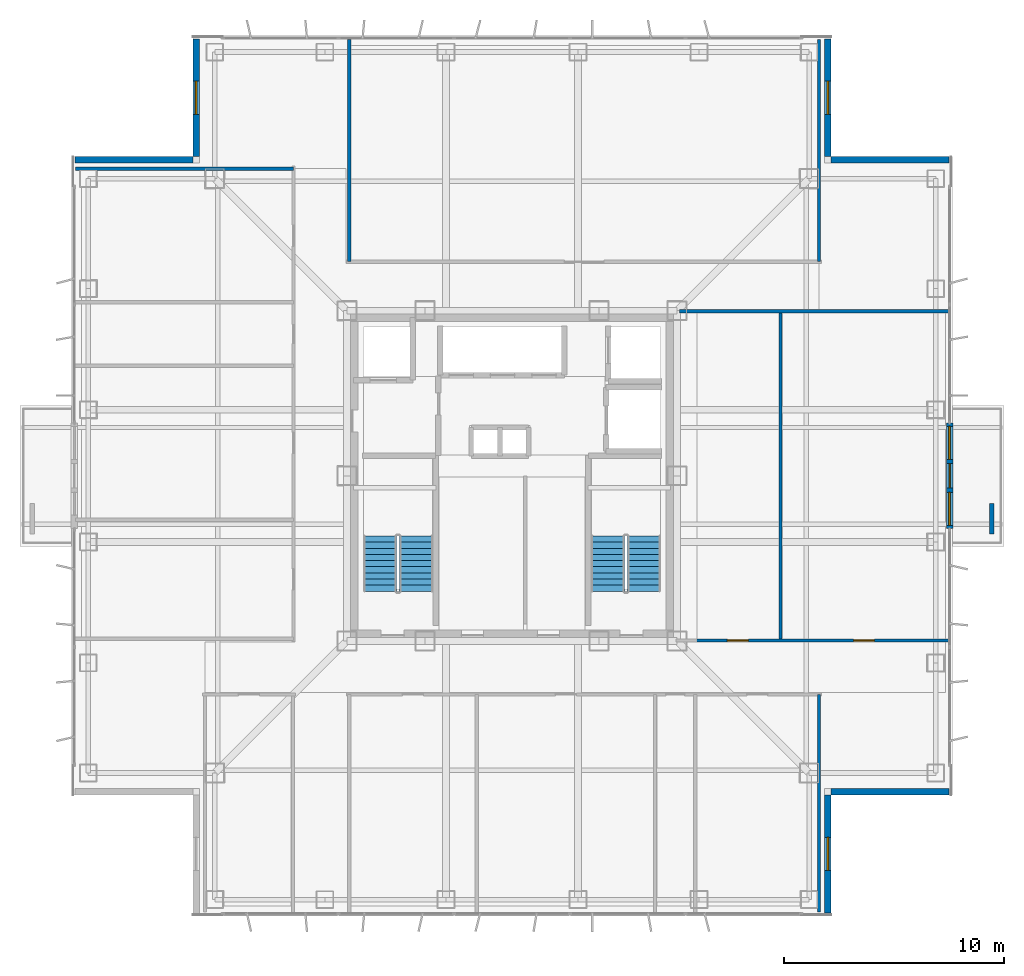
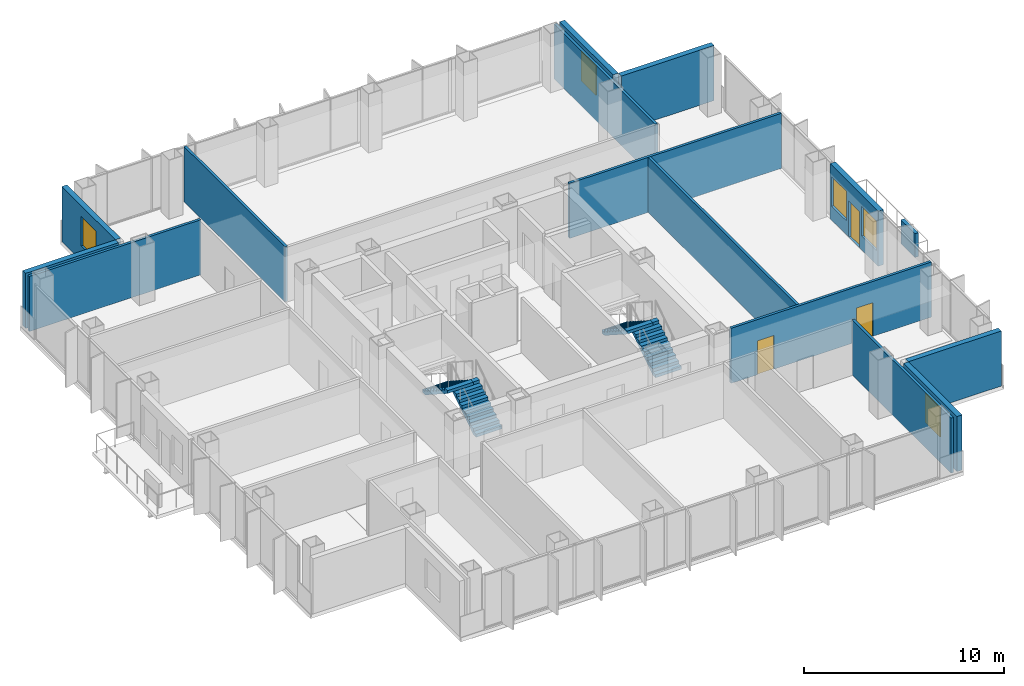
# One storey, part 12 of 15: 15 walls, 5 windows, 4 stair flights, 3 doors, 8 openings, 2 elements without a shape of their own.
"""IFC4 building model written with IfcOpenShell, lengths in metres."""

from ifc_helpers import new_model, si_unit, direction, frame, frame_2d, origin, place, context, subcontext, project, spatial, polyline, rectangle, outline, extrude, material, layer, layer_set, type_object, element, fill, aggregate, save


model = new_model("IFC4")

# Units and contexts
model_context = context("Model", 3, precision=1e-05, world=origin(), true_north=direction((0.0, 1.0)))
body_context = subcontext(model_context, "Body", "Model", "MODEL_VIEW")
ifc_project = project(units=[si_unit("LENGTHUNIT", "METRE"), si_unit("AREAUNIT", "SQUARE_METRE"), si_unit("VOLUMEUNIT", "CUBIC_METRE"), si_unit("PLANEANGLEUNIT", "RADIAN"), si_unit("MASSUNIT", "GRAM", prefix="KILO")], contexts=[model_context])

# Site, building, storey
site_placement = place(None, origin())
site = spatial("IfcSite", under=ifc_project, at=site_placement, CompositionType="ELEMENT")
building_placement = place(site_placement, origin())
building = spatial("IfcBuilding", under=site, at=building_placement, Name="Trevonay Congress Spire", CompositionType="ELEMENT")
storey_placement = place(building_placement, frame((0.0, 0.0, 216.60009765625)))
storey = spatial("IfcBuildingStorey", under=building, at=storey_placement, Name="L56", CompositionType="ELEMENT", Elevation=216.60009765625)

# Wall, openings, doors
ifc_material_1 = material(Name="Concrete C40/50", Category="concrete")
ifc_layer_1 = layer(ifc_material_1, 0.14990234375, Name="Concrete C40/50")
ifc_layer_set_1 = layer_set([ifc_layer_1], Name="Concrete C40/50")
wall_type_1 = type_object("IfcWallType", Name="WAL-CORR-150", PredefinedType="PARTITIONING", material=ifc_layer_set_1)
wall_1_placement = place(storey_placement, frame((8.280029296875, -7.47998046875, 0.0), z_axis=(0.0, 0.0, 1.0), x_axis=(1.0, 0.0, 0.0)))
wall_1 = element("IfcWall", 1, at=wall_1_placement, inside=storey, type_object=wall_type_1, Name="L56 interior wall WP-L56E-COR", PredefinedType="PARTITIONING", context=body_context, shape_type="SweptSolid", body=[
    extrude(rectangle(XDim=11.5400390625, YDim=0.14990234375, at=frame_2d((5.77001953125, 0.0))), origin(), (0.0, 0.0, 1.0), 3.35986328125),
])
opening_1_placement = place(wall_1_placement, frame((1.5048828125, 0.0, 0.0)))
opening_1 = element("IfcOpeningElement", 2, at=opening_1_placement, cuts=wall_1, Name="Opening D07", PredefinedType="OPENING", context=body_context, shape_type="SweptSolid", body=[
    extrude(rectangle(XDim=0.949951171875, YDim=2.06005859375, at=frame_2d((0.47509765625, 1.030029296875))), frame((0.0, 0.0849609375, 0.0), z_axis=(0.0, -1.0, 0.0), x_axis=(1.0, 0.0, 0.0)), (0.0, 0.0, 1.0), 0.169921875),
])
opening_2_placement = place(wall_1_placement, frame((7.235107421875, 0.0, 0.0)))
opening_2 = element("IfcOpeningElement", 3, at=opening_2_placement, cuts=wall_1, Name="Opening D07", PredefinedType="OPENING", context=body_context, shape_type="SweptSolid", body=[
    extrude(rectangle(XDim=0.949951171875, YDim=2.06005859375, at=frame_2d((0.47509765625, 1.030029296875))), frame((0.0, 0.0849609375, 0.0), z_axis=(0.0, -1.0, 0.0), x_axis=(1.0, 0.0, 0.0)), (0.0, 0.0, 1.0), 0.169921875),
])
ifc_material_2 = material(Name="Pale Anodised Aluminium EN AW-6063-T6", Category="aluminium")
door_type_1 = type_object("IfcDoorType", Name="DOR-OFFICE-95", OperationType="NOTDEFINED", PredefinedType="DOOR", material=ifc_material_2)
door_1_placement = place(opening_1_placement, origin())
door_1 = element("IfcDoor", 4, at=door_1_placement, inside=storey, type_object=door_type_1, Name="L56 Executive Study Office Door", OperationType="SINGLE_SWING_LEFT", OverallHeight=2.06005859375, OverallWidth=0.949951171875, PredefinedType="DOOR", context=body_context, shape_type="SweptSolid", body=[
    extrude(rectangle(XDim=0.949951171875, YDim=2.06005859375, at=frame_2d((0.47509765625, 1.030029296875))), frame((0.0, 0.02490234375, 0.0), z_axis=(0.0, -1.0, 0.0), x_axis=(1.0, 0.0, 0.0)), (0.0, 0.0, 1.0), 0.050048828125),
])
fill(opening_1, door_1)
door_2_placement = place(opening_2_placement, origin())
door_2 = element("IfcDoor", 5, at=door_2_placement, inside=storey, type_object=door_type_1, Name="L56 Catering Pantry Door", OperationType="SINGLE_SWING_RIGHT", OverallHeight=2.06005859375, OverallWidth=0.949951171875, PredefinedType="DOOR", context=body_context, shape_type="SweptSolid", body=[
    extrude(rectangle(XDim=0.949951171875, YDim=2.06005859375, at=frame_2d((0.47509765625, 1.030029296875))), frame((0.0, 0.02490234375, 0.0), z_axis=(0.0, -1.0, 0.0), x_axis=(1.0, 0.0, 0.0)), (0.0, 0.0, 1.0), 0.050048828125),
])
fill(opening_2, door_2)

# Wall, openings, door, windows
ifc_material_3 = material(Name="Precast concrete C40/50", Category="concrete")
ifc_layer_2 = layer(ifc_material_3, 0.300048828125, Name="Precast concrete C40/50")
ifc_layer_set_2 = layer_set([ifc_layer_2], Name="Precast concrete C40/50")
wall_type_2 = type_object("IfcWallType", Name="WAL-EXT-PRECAST-300", PredefinedType="SOLIDWALL", material=ifc_layer_set_2)
wall_2_placement = place(storey_placement, frame((19.8798828125, -2.39990234375, 0.0), z_axis=(0.0, 0.0, 1.0), x_axis=(0.0, 1.0, 0.0)))
wall_2 = element("IfcWall", 6, at=wall_2_placement, inside=storey, type_object=wall_type_2, Name="L56 E glazed balcony portal exterior wall", PredefinedType="SOLIDWALL", context=body_context, shape_type="SweptSolid", body=[
    extrude(rectangle(XDim=4.7998046875, YDim=0.300048828125, at=frame_2d((2.39990234375, 0.0))), origin(), (0.0, 0.0, 1.0), 3.35986328125),
])
opening_3_placement = place(wall_2_placement, frame((1.85009765625, 0.0, 0.0)))
opening_3 = element("IfcOpeningElement", 7, at=opening_3_placement, cuts=wall_2, Name="Opening D03", PredefinedType="OPENING", context=body_context, shape_type="SweptSolid", body=[
    extrude(rectangle(XDim=1.10009765625, YDim=2.199951171875, at=frame_2d((0.550048828125, 1.10009765625))), frame((0.0, 0.16015625, 0.0), z_axis=(0.0, -1.0, 0.0), x_axis=(1.0, 0.0, 0.0)), (0.0, 0.0, 1.0), 0.320068359375),
])
opening_4_placement = place(wall_2_placement, frame((0.14990234375, 0.0, 0.85009765625)))
opening_4 = element("IfcOpeningElement", 8, at=opening_4_placement, cuts=wall_2, Name="Opening WN03", PredefinedType="OPENING", context=body_context, shape_type="SweptSolid", body=[
    extrude(rectangle(XDim=1.5, YDim=1.800048828125, at=frame_2d((0.75, 0.89990234375))), frame((0.0, 0.16015625, 0.0), z_axis=(0.0, -1.0, 0.0), x_axis=(1.0, 0.0, 0.0)), (0.0, 0.0, 1.0), 0.320068359375),
])
opening_5_placement = place(wall_2_placement, frame((3.14990234375, 0.0, 0.85009765625)))
opening_5 = element("IfcOpeningElement", 9, at=opening_5_placement, cuts=wall_2, Name="Opening WN03", PredefinedType="OPENING", context=body_context, shape_type="SweptSolid", body=[
    extrude(rectangle(XDim=1.5, YDim=1.800048828125, at=frame_2d((0.75, 0.89990234375))), frame((0.0, 0.16015625, 0.0), z_axis=(0.0, -1.0, 0.0), x_axis=(1.0, 0.0, 0.0)), (0.0, 0.0, 1.0), 0.320068359375),
])
door_type_2 = type_object("IfcDoorType", Name="DOR-EXT-BAL-110", OperationType="NOTDEFINED", PredefinedType="DOOR", material=ifc_material_2)
door_3_placement = place(opening_3_placement, origin())
door_3 = element("IfcDoor", 10, at=door_3_placement, inside=storey, type_object=door_type_2, Name="L56 E glazed outdoor terrace and balcony door", OperationType="SINGLE_SWING_RIGHT", OverallHeight=2.199951171875, OverallWidth=1.10009765625, PredefinedType="DOOR", context=body_context, shape_type="SweptSolid", body=[
    extrude(rectangle(XDim=1.10009765625, YDim=2.199951171875, at=frame_2d((0.550048828125, 1.10009765625))), frame((0.0, 0.02490234375, 0.0), z_axis=(0.0, -1.0, 0.0), x_axis=(1.0, 0.0, 0.0)), (0.0, 0.0, 1.0), 0.050048828125),
])
fill(opening_3, door_3)
ifc_material_4 = material(Name="Insulated Low-E Vision Glass IGU", Category="glass")
window_type = type_object("IfcWindowType", Name="WIN-NOTCH-150X180", PartitioningType="SINGLE_PANEL", PredefinedType="WINDOW", material=ifc_material_4)
window_1_placement = place(opening_4_placement, origin())
window_1 = element("IfcWindow", 11, at=window_1_placement, inside=storey, type_object=window_type, Name="L56 E balcony sidelight window L", OverallHeight=1.800048828125, OverallWidth=1.5, PartitioningType="SINGLE_PANEL", PredefinedType="WINDOW", context=body_context, shape_type="SweptSolid", body=[
    extrude(rectangle(XDim=1.5, YDim=1.800048828125, at=frame_2d((0.75, 0.89990234375))), frame((0.0, 0.030029296875, 0.0), z_axis=(0.0, -1.0, 0.0), x_axis=(1.0, 0.0, 0.0)), (0.0, 0.0, 1.0), 0.06005859375),
])
fill(opening_4, window_1)
window_2_placement = place(opening_5_placement, origin())
window_2 = element("IfcWindow", 12, at=window_2_placement, inside=storey, type_object=window_type, Name="L56 E balcony sidelight window R", OverallHeight=1.800048828125, OverallWidth=1.5, PartitioningType="SINGLE_PANEL", PredefinedType="WINDOW", context=body_context, shape_type="SweptSolid", body=[
    extrude(rectangle(XDim=1.5, YDim=1.800048828125, at=frame_2d((0.75, 0.89990234375))), frame((0.0, 0.030029296875, 0.0), z_axis=(0.0, -1.0, 0.0), x_axis=(1.0, 0.0, 0.0)), (0.0, 0.0, 1.0), 0.06005859375),
])
fill(opening_5, window_2)

# Wall, opening, window
wall_3_placement = place(storey_placement, frame((14.35009765625, -19.85009765625, 0.0), z_axis=(0.0, 0.0, 1.0), x_axis=(0.0, 1.0, 0.0)))
wall_3 = element("IfcWall", 13, at=wall_3_placement, inside=storey, type_object=wall_type_2, Name="L56 SE re-entrant notch exterior wall 1", PredefinedType="SOLIDWALL", context=body_context, shape_type="SweptSolid", body=[
    extrude(rectangle(XDim=5.35009765625, YDim=0.300048828125, at=frame_2d((2.675048828125, 0.0))), origin(), (0.0, 0.0, 1.0), 3.35986328125),
])
opening_6_placement = place(wall_3_placement, frame((1.925048828125, 0.0, 0.89990234375)))
opening_6 = element("IfcOpeningElement", 14, at=opening_6_placement, cuts=wall_3, Name="Opening WN03", PredefinedType="OPENING", context=body_context, shape_type="SweptSolid", body=[
    extrude(rectangle(XDim=1.5, YDim=1.800048828125, at=frame_2d((0.75, 0.89990234375))), frame((0.0, 0.16015625, 0.0), z_axis=(0.0, -1.0, 0.0), x_axis=(1.0, 0.0, 0.0)), (0.0, 0.0, 1.0), 0.320068359375),
])
window_3_placement = place(opening_6_placement, origin())
window_3 = element("IfcWindow", 15, at=window_3_placement, inside=storey, type_object=window_type, Name="L56 SE corner notch window", OverallHeight=1.800048828125, OverallWidth=1.5, PartitioningType="SINGLE_PANEL", PredefinedType="WINDOW", context=body_context, shape_type="SweptSolid", body=[
    extrude(rectangle(XDim=1.5, YDim=1.800048828125, at=frame_2d((0.75, 0.89990234375))), frame((0.0, 0.030029296875, 0.0), z_axis=(0.0, -1.0, 0.0), x_axis=(1.0, 0.0, 0.0)), (0.0, 0.0, 1.0), 0.06005859375),
])
fill(opening_6, window_3)

# Wall
wall_4_placement = place(storey_placement, frame((19.85009765625, -14.35009765625, 0.0), z_axis=(0.0, 0.0, 1.0), x_axis=(-1.0, 0.0, 0.0)))
element("IfcWall", 16, at=wall_4_placement, inside=storey, type_object=wall_type_2, Name="L56 SE re-entrant notch exterior wall 2", PredefinedType="SOLIDWALL", context=body_context, shape_type="SweptSolid", body=[
    extrude(rectangle(XDim=5.35009765625, YDim=0.300048828125, at=frame_2d((2.675048828125, 0.0))), origin(), (0.0, 0.0, 1.0), 3.35986328125),
])

# Wall, opening, window
wall_5_placement = place(storey_placement, frame((14.35009765625, 19.85009765625, 0.0), z_axis=(0.0, 0.0, 1.0), x_axis=(0.0, -1.0, 0.0)))
wall_5 = element("IfcWall", 17, at=wall_5_placement, inside=storey, type_object=wall_type_2, Name="L56 NE re-entrant notch exterior wall 1", PredefinedType="SOLIDWALL", context=body_context, shape_type="SweptSolid", body=[
    extrude(rectangle(XDim=5.35009765625, YDim=0.300048828125, at=frame_2d((2.675048828125, 0.0))), origin(), (0.0, 0.0, 1.0), 3.35986328125),
])
opening_7_placement = place(wall_5_placement, frame((1.925048828125, 0.0, 0.89990234375)))
opening_7 = element("IfcOpeningElement", 18, at=opening_7_placement, cuts=wall_5, Name="Opening WN03", PredefinedType="OPENING", context=body_context, shape_type="SweptSolid", body=[
    extrude(rectangle(XDim=1.5, YDim=1.800048828125, at=frame_2d((0.75, 0.89990234375))), frame((0.0, 0.16015625, 0.0), z_axis=(0.0, -1.0, 0.0), x_axis=(1.0, 0.0, 0.0)), (0.0, 0.0, 1.0), 0.320068359375),
])
window_4_placement = place(opening_7_placement, origin())
window_4 = element("IfcWindow", 19, at=window_4_placement, inside=storey, type_object=window_type, Name="L56 NE corner notch window", OverallHeight=1.800048828125, OverallWidth=1.5, PartitioningType="SINGLE_PANEL", PredefinedType="WINDOW", context=body_context, shape_type="SweptSolid", body=[
    extrude(rectangle(XDim=1.5, YDim=1.800048828125, at=frame_2d((0.75, 0.89990234375))), frame((0.0, 0.030029296875, 0.0), z_axis=(0.0, -1.0, 0.0), x_axis=(1.0, 0.0, 0.0)), (0.0, 0.0, 1.0), 0.06005859375),
])
fill(opening_7, window_4)

# Wall
wall_6_placement = place(storey_placement, frame((19.85009765625, 14.35009765625, 0.0), z_axis=(0.0, 0.0, 1.0), x_axis=(-1.0, 0.0, 0.0)))
element("IfcWall", 20, at=wall_6_placement, inside=storey, type_object=wall_type_2, Name="L56 NE re-entrant notch exterior wall 2", PredefinedType="SOLIDWALL", context=body_context, shape_type="SweptSolid", body=[
    extrude(rectangle(XDim=5.35009765625, YDim=0.300048828125, at=frame_2d((2.675048828125, 0.0))), origin(), (0.0, 0.0, 1.0), 3.35986328125),
])

# Wall, opening, window
wall_7_placement = place(storey_placement, frame((-14.35009765625, 19.85009765625, 0.0), z_axis=(0.0, 0.0, 1.0), x_axis=(0.0, -1.0, 0.0)))
wall_7 = element("IfcWall", 21, at=wall_7_placement, inside=storey, type_object=wall_type_2, Name="L56 NW re-entrant notch exterior wall 1", PredefinedType="SOLIDWALL", context=body_context, shape_type="SweptSolid", body=[
    extrude(rectangle(XDim=5.35009765625, YDim=0.300048828125, at=frame_2d((2.675048828125, 0.0))), origin(), (0.0, 0.0, 1.0), 3.35986328125),
])
opening_8_placement = place(wall_7_placement, frame((1.925048828125, 0.0, 0.89990234375)))
opening_8 = element("IfcOpeningElement", 22, at=opening_8_placement, cuts=wall_7, Name="Opening WN03", PredefinedType="OPENING", context=body_context, shape_type="SweptSolid", body=[
    extrude(rectangle(XDim=1.5, YDim=1.800048828125, at=frame_2d((0.75, 0.89990234375))), frame((0.0, 0.16015625, 0.0), z_axis=(0.0, -1.0, 0.0), x_axis=(1.0, 0.0, 0.0)), (0.0, 0.0, 1.0), 0.320068359375),
])
window_5_placement = place(opening_8_placement, origin())
window_5 = element("IfcWindow", 23, at=window_5_placement, inside=storey, type_object=window_type, Name="L56 NW corner notch window", OverallHeight=1.800048828125, OverallWidth=1.5, PartitioningType="SINGLE_PANEL", PredefinedType="WINDOW", context=body_context, shape_type="SweptSolid", body=[
    extrude(rectangle(XDim=1.5, YDim=1.800048828125, at=frame_2d((0.75, 0.89990234375))), frame((0.0, 0.030029296875, 0.0), z_axis=(0.0, -1.0, 0.0), x_axis=(1.0, 0.0, 0.0)), (0.0, 0.0, 1.0), 0.06005859375),
])
fill(opening_8, window_5)

# Walls
wall_8_placement = place(storey_placement, frame((-19.85009765625, 14.35009765625, 0.0), z_axis=(0.0, 0.0, 1.0), x_axis=(1.0, 0.0, 0.0)))
element("IfcWall", 24, at=wall_8_placement, inside=storey, type_object=wall_type_2, Name="L56 NW re-entrant notch exterior wall 2", PredefinedType="SOLIDWALL", context=body_context, shape_type="SweptSolid", body=[
    extrude(rectangle(XDim=5.35009765625, YDim=0.300048828125, at=frame_2d((2.675048828125, 0.0))), origin(), (0.0, 0.0, 1.0), 3.35986328125),
])
ifc_layer_3 = layer(ifc_material_1, 0.14990234375, Name="Concrete C40/50")
ifc_layer_set_3 = layer_set([ifc_layer_3], Name="Concrete C40/50")
wall_type_3 = type_object("IfcWallType", Name="WAL-PART-150", PredefinedType="PARTITIONING", material=ifc_layer_set_3)
for number, where, z_axis, x_axis, name in (
    (25, (13.949951171875, -19.820068359375, 0.0), (0.0, 0.0, 1.0), (0.0, 1.0, 0.0), "L56 interior wall WP-L56SE-DIV4"),
    (26, (-19.820068359375, 13.949951171875, 0.0), (0.0, 0.0, 1.0), (1.0, 0.0, 0.0), "L56 interior wall WP-L56NW-DIV4"),
):
    element("IfcWall", number, at=place(storey_placement, frame(where, z_axis=z_axis, x_axis=x_axis)), inside=storey, type_object=wall_type_3, Name=name, PredefinedType="PARTITIONING", context=body_context, shape_type="SweptSolid", body=[
        extrude(rectangle(XDim=9.89013671875, YDim=0.14990234375, at=frame_2d((4.945068359375, 0.0))), origin(), (0.0, 0.0, 1.0), 3.35986328125),
    ])
for number, where, z_axis, x_axis, name in (
    (27, (-7.39990234375, 9.72998046875, 0.0), (0.0, 0.0, 1.0), (0.0, 1.0, 0.0), "L56 interior wall WP-L56N-DIV1"),
    (28, (13.949951171875, 9.72998046875, 0.0), (0.0, 0.0, 1.0), (0.0, 1.0, 0.0), "L56 interior wall WP-L56N-DIV2"),
):
    element("IfcWall", number, at=place(storey_placement, frame(where, z_axis=z_axis, x_axis=x_axis)), inside=storey, type_object=wall_type_3, Name=name, PredefinedType="PARTITIONING", context=body_context, shape_type="SweptSolid", body=[
        extrude(rectangle(XDim=10.090087890625, YDim=0.14990234375, at=frame_2d((5.044921875, 0.0))), origin(), (0.0, 0.0, 1.0), 3.35986328125),
    ])
wall_9_placement = place(storey_placement, frame((12.199951171875, -7.47998046875, 0.0), z_axis=(0.0, 0.0, 1.0), x_axis=(0.0, 1.0, 0.0)))
element("IfcWall", 29, at=wall_9_placement, inside=storey, type_object=wall_type_3, Name="L56 interior wall WP-L56E-DIV1", PredefinedType="PARTITIONING", context=body_context, shape_type="SweptSolid", body=[
    extrude(rectangle(XDim=14.89990234375, YDim=0.14990234375, at=frame_2d((7.449951171875, 0.0))), origin(), (0.0, 0.0, 1.0), 3.35986328125),
])
wall_10_placement = place(storey_placement, frame((7.60009765625, 7.47998046875, 0.0), z_axis=(0.0, 0.0, 1.0), x_axis=(1.0, 0.0, 0.0)))
element("IfcWall", 30, at=wall_10_placement, inside=storey, type_object=wall_type_3, Name="L56 interior wall WP-L56E-NCLS", PredefinedType="PARTITIONING", context=body_context, shape_type="SweptSolid", body=[
    extrude(rectangle(XDim=12.219970703125, YDim=0.14990234375, at=frame_2d((6.10986328125, 0.0))), origin(), (0.0, 0.0, 1.0), 3.35986328125),
])
ifc_layer_4 = layer(ifc_material_3, 0.199951171875, Name="Precast concrete C40/50")
ifc_layer_set_4 = layer_set([ifc_layer_4], Name="Precast concrete C40/50")
wall_type_4 = type_object("IfcWallType", Name="WAL-TREE-PLANTER-200", PredefinedType="PARAPET", material=ifc_layer_set_4)
wall_11_placement = place(storey_placement, frame((21.800048828125, -2.64990234375, 0.0), z_axis=(0.0, 0.0, 1.0), x_axis=(0.0, 1.0, 0.0)))
element("IfcWall", 31, at=wall_11_placement, inside=storey, type_object=wall_type_4, Name="L56 E cantilevered balcony tree planter box", PredefinedType="PARAPET", context=body_context, shape_type="SweptSolid", body=[
    extrude(rectangle(XDim=1.39990234375, YDim=0.199951171875, at=frame_2d((0.699951171875, 0.0))), origin(), (0.0, 0.0, 1.0), 1.449951171875),
])

# Stair, stair flights
stair_type_1 = type_object("IfcStairType", Name="STR-ST-1", PredefinedType="HALF_TURN_STAIR", material=ifc_material_1)
stair_1_placement = place(storey_placement, origin())
stair_1 = element("IfcStair", 32, at=stair_1_placement, inside=storey, type_object=stair_type_1, Name="L56 Protected Exit Stair ST-1", PredefinedType="HALF_TURN_STAIR")
stair_flight_type_1 = type_object("IfcStairFlightType", Name="SFL-ST-1", PredefinedType="STRAIGHT", material=ifc_material_1)
stair_flight_1_placement = place(storey_placement, frame((-4.35009765625, -5.25, 0.0), z_axis=(0.0, 0.0, 1.0), x_axis=(0.0, 1.0, 0.0)))
stair_flight_1 = element("IfcStairFlight", 33, at=stair_flight_1_placement, type_object=stair_flight_type_1, Name="ST-1 flight 1", NumberOfRisers=10, NumberOfTreads=9, PredefinedType="STRAIGHT", RiserHeight=0.18, TreadLength=0.28, context=body_context, shape_type="SweptSolid", body=[
    extrude(outline(polyline([(0.0, 0.0), (0.0, 0.179931640625), (0.280029296875, 0.179931640625), (0.280029296875, 0.360107421875), (0.56005859375, 0.360107421875), (0.56005859375, 0.5400390625), (0.840087890625, 0.5400390625), (0.840087890625, 0.719970703125), (1.1201171875, 0.719970703125), (1.1201171875, 0.89990234375), (1.39990234375, 0.89990234375), (1.39990234375, 1.080078125), (1.679931640625, 1.080078125), (1.679931640625, 1.260009765625), (1.9599609375, 1.260009765625), (1.9599609375, 1.43994140625), (2.239990234375, 1.43994140625), (2.239990234375, 1.6201171875), (2.52001953125, 1.6201171875), (2.52001953125, 1.800048828125), (2.52001953125, 1.44189453125), (0.277099609375, 0.0), (0.0, 0.0)])), frame((0.0, 0.75, 0.0), z_axis=(0.0, -1.0, 0.0), x_axis=(1.0, 0.0, 0.0)), (0.0, 0.0, 1.0), 1.5),
])
stair_flight_2_placement = place(storey_placement, frame((-6.0, -2.72998046875, 1.7998046875), z_axis=(0.0, 0.0, 1.0), x_axis=(0.0, -1.0, 0.0)))
stair_flight_2 = element("IfcStairFlight", 34, at=stair_flight_2_placement, type_object=stair_flight_type_1, Name="ST-1 flight 2", NumberOfRisers=10, NumberOfTreads=9, PredefinedType="STRAIGHT", RiserHeight=0.18, TreadLength=0.28, context=body_context, shape_type="SweptSolid", body=[
    extrude(outline(polyline([(0.0, 0.0), (0.0, 0.179931640625), (0.280029296875, 0.179931640625), (0.280029296875, 0.360107421875), (0.56005859375, 0.360107421875), (0.56005859375, 0.5400390625), (0.840087890625, 0.5400390625), (0.840087890625, 0.719970703125), (1.1201171875, 0.719970703125), (1.1201171875, 0.89990234375), (1.39990234375, 0.89990234375), (1.39990234375, 1.080078125), (1.679931640625, 1.080078125), (1.679931640625, 1.260009765625), (1.9599609375, 1.260009765625), (1.9599609375, 1.43994140625), (2.239990234375, 1.43994140625), (2.239990234375, 1.6201171875), (2.52001953125, 1.6201171875), (2.52001953125, 1.800048828125), (2.52001953125, 1.44189453125), (0.277099609375, 0.0), (0.0, 0.0)])), frame((0.0, 0.75, 0.0), z_axis=(0.0, -1.0, 0.0), x_axis=(1.0, 0.0, 0.0)), (0.0, 0.0, 1.0), 1.5),
])
aggregate(stair_1, [stair_flight_1, stair_flight_2])

stair_type_2 = type_object("IfcStairType", Name="STR-ST-2", PredefinedType="HALF_TURN_STAIR", material=ifc_material_1)
stair_2_placement = place(storey_placement, origin())
stair_2 = element("IfcStair", 35, at=stair_2_placement, inside=storey, type_object=stair_type_2, Name="L56 Protected Exit Stair ST-2", PredefinedType="HALF_TURN_STAIR")
stair_flight_type_2 = type_object("IfcStairFlightType", Name="SFL-ST-2", PredefinedType="STRAIGHT", material=ifc_material_1)
stair_flight_3_placement = place(storey_placement, frame((6.0, -5.25, 0.0), z_axis=(0.0, 0.0, 1.0), x_axis=(0.0, 1.0, 0.0)))
stair_flight_3 = element("IfcStairFlight", 36, at=stair_flight_3_placement, type_object=stair_flight_type_2, Name="ST-2 flight 1", NumberOfRisers=10, NumberOfTreads=9, PredefinedType="STRAIGHT", RiserHeight=0.18, TreadLength=0.28, context=body_context, shape_type="SweptSolid", body=[
    extrude(outline(polyline([(0.0, 0.0), (0.0, 0.179931640625), (0.280029296875, 0.179931640625), (0.280029296875, 0.360107421875), (0.56005859375, 0.360107421875), (0.56005859375, 0.5400390625), (0.840087890625, 0.5400390625), (0.840087890625, 0.719970703125), (1.1201171875, 0.719970703125), (1.1201171875, 0.89990234375), (1.39990234375, 0.89990234375), (1.39990234375, 1.080078125), (1.679931640625, 1.080078125), (1.679931640625, 1.260009765625), (1.9599609375, 1.260009765625), (1.9599609375, 1.43994140625), (2.239990234375, 1.43994140625), (2.239990234375, 1.6201171875), (2.52001953125, 1.6201171875), (2.52001953125, 1.800048828125), (2.52001953125, 1.44189453125), (0.277099609375, 0.0), (0.0, 0.0)])), frame((0.0, 0.75, 0.0), z_axis=(0.0, -1.0, 0.0), x_axis=(1.0, 0.0, 0.0)), (0.0, 0.0, 1.0), 1.5),
])
stair_flight_4_placement = place(storey_placement, frame((4.35009765625, -2.72998046875, 1.7998046875), z_axis=(0.0, 0.0, 1.0), x_axis=(0.0, -1.0, 0.0)))
stair_flight_4 = element("IfcStairFlight", 37, at=stair_flight_4_placement, type_object=stair_flight_type_2, Name="ST-2 flight 2", NumberOfRisers=10, NumberOfTreads=9, PredefinedType="STRAIGHT", RiserHeight=0.18, TreadLength=0.28, context=body_context, shape_type="SweptSolid", body=[
    extrude(outline(polyline([(0.0, 0.0), (0.0, 0.179931640625), (0.280029296875, 0.179931640625), (0.280029296875, 0.360107421875), (0.56005859375, 0.360107421875), (0.56005859375, 0.5400390625), (0.840087890625, 0.5400390625), (0.840087890625, 0.719970703125), (1.1201171875, 0.719970703125), (1.1201171875, 0.89990234375), (1.39990234375, 0.89990234375), (1.39990234375, 1.080078125), (1.679931640625, 1.080078125), (1.679931640625, 1.260009765625), (1.9599609375, 1.260009765625), (1.9599609375, 1.43994140625), (2.239990234375, 1.43994140625), (2.239990234375, 1.6201171875), (2.52001953125, 1.6201171875), (2.52001953125, 1.800048828125), (2.52001953125, 1.44189453125), (0.277099609375, 0.0), (0.0, 0.0)])), frame((0.0, 0.75, 0.0), z_axis=(0.0, -1.0, 0.0), x_axis=(1.0, 0.0, 0.0)), (0.0, 0.0, 1.0), 1.5),
])
aggregate(stair_2, [stair_flight_3, stair_flight_4])

save(model, "model.ifc")
